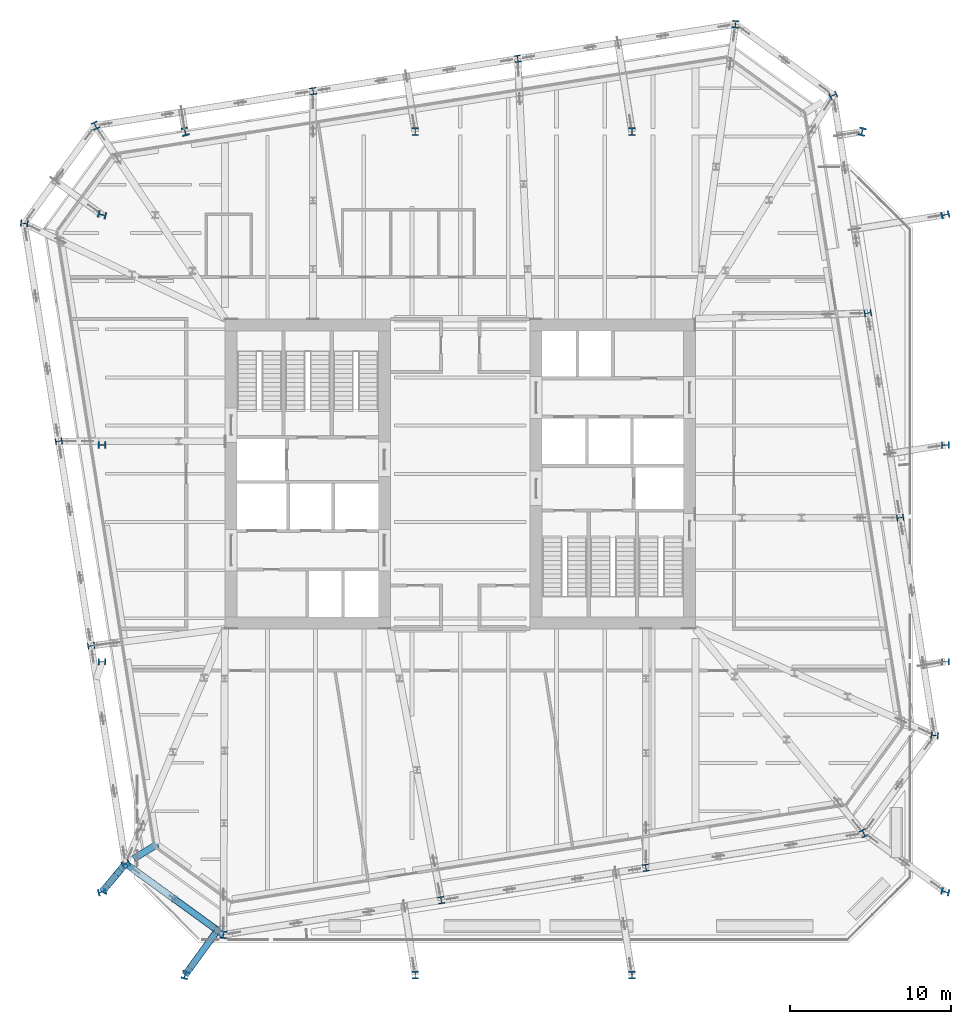
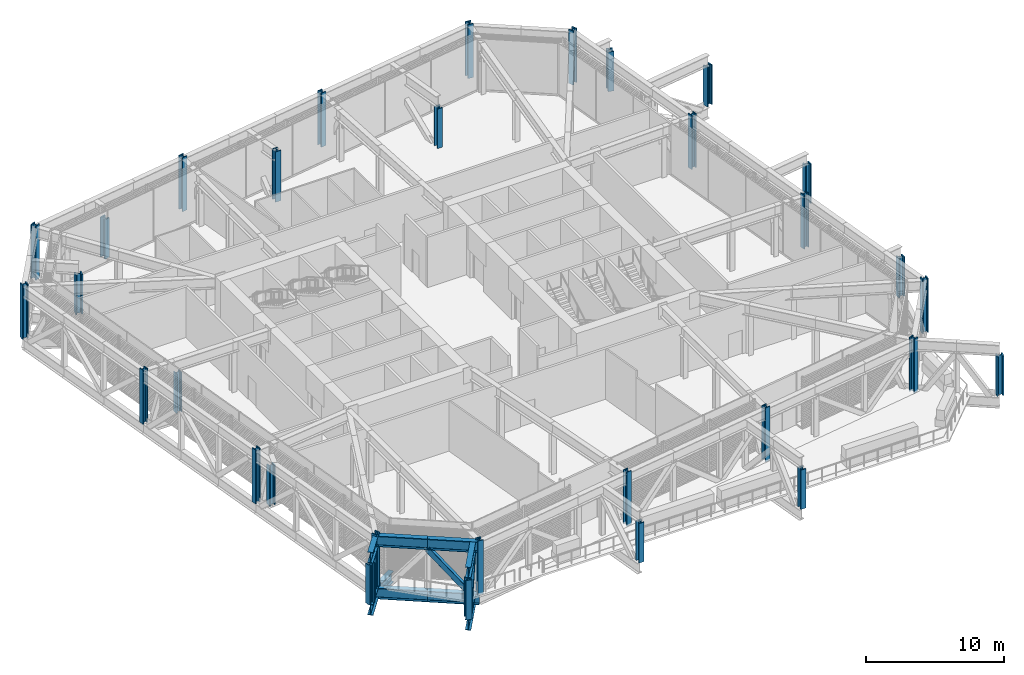
# One storey, part 1 of 32: 31 columns, 9 beams, 3 members.
"""IFC4 building model written with IfcOpenShell, lengths in metres."""

from ifc_helpers import new_model, si_unit, direction, frame, origin, origin_2d, place, context, subcontext, project, spatial, hollow_rectangle, i_section, extrude, material, material_profile, profile_set, type_object, element, save


model = new_model("IFC4")

# Units and contexts
model_context = context("Model", 3, precision=1e-05, world=origin(), true_north=direction((0.0, 1.0)))
body_context = subcontext(model_context, "Body", "Model", "MODEL_VIEW")
ifc_project = project(units=[si_unit("LENGTHUNIT", "METRE"), si_unit("AREAUNIT", "SQUARE_METRE"), si_unit("VOLUMEUNIT", "CUBIC_METRE"), si_unit("PLANEANGLEUNIT", "RADIAN"), si_unit("MASSUNIT", "GRAM", prefix="KILO")], contexts=[model_context])

# Site, building, storey
site_placement = place(None, origin())
site = spatial("IfcSite", under=ifc_project, at=site_placement, CompositionType="ELEMENT")
building_placement = place(site_placement, origin())
building = spatial("IfcBuilding", under=site, at=building_placement, Name="Millrace Tower", CompositionType="ELEMENT")
storey_placement = place(building_placement, frame((0.0, 0.0, 124.89990234375)))
storey = spatial("IfcBuildingStorey", under=building, at=storey_placement, Name="L27", CompositionType="ELEMENT", Elevation=124.89990234375)

# Columns
ifc_material_1 = material(Name="Steel ASTM A913 Grade 65", Category="steel")
ifc_material_profile_1 = material_profile(ifc_material_1, i_section(OverallWidth=0.419189453125, OverallDepth=0.45458984375, WebThickness=0.042236328125, FlangeThickness=0.067626953125, FilletRadius=0.01513671875, at=origin_2d()))
ifc_profile_set_1 = profile_set([ifc_material_profile_1], Name="Steel ASTM A913 Grade 65")
column_type_1 = type_object("IfcColumnType", Name="Exoskeleton column W14x370", PredefinedType="COLUMN", material=ifc_profile_set_1)
for number, where, z_axis, x_axis, name in (
    (1, (-1.181396484375, -26.545166015625, -0.159912109375), (0.0, 0.0, 1.0), (0.987688339156, 0.156434474125, 0.0), "COL-C-L27-X03"),
    (2, (11.5595703125, -24.527099609375, -0.159912109375), (0.0, 0.0, 1.0), (0.987688338239, 0.156434479917, 0.0), "COL-C-L27-X04"),
    (3, (27.39501953125, -2.7314453125, -0.159912109375), (0.0, 0.0, 1.0), (-0.156434474125, 0.987688339156, 0.0), "COL-C-L27-X07"),
    (4, (25.376953125, 10.009765625, -0.159912109375), (0.0, 0.0, 1.0), (-0.156434479917, 0.987688338239, 0.0), "COL-C-L27-X08"),
    (5, (3.58154296875, 25.844970703125, -0.159912109375), (0.0, 0.0, 1.0), (-0.987688339156, -0.156434474125, 0.0), "COL-C-L27-X11"),
    (6, (-9.15966796875, 23.8271484375, -0.159912109375), (0.0, 0.0, 1.0), (-0.987688338239, -0.156434479917, 0.0), "COL-C-L27-X12"),
    (7, (-24.9951171875, 2.031494140625, -0.159912109375), (0.0, 0.0, 1.0), (0.156434474125, -0.987688339156, 0.0), "COL-C-L27-X15"),
    (8, (-22.97705078125, -10.709716796875, -0.159912109375), (0.0, 0.0, 1.0), (0.156434479917, -0.987688338239, 0.0), "COL-C-L27-X16"),
):
    element("IfcColumn", number, at=place(storey_placement, frame(where, z_axis=z_axis, x_axis=x_axis)), inside=storey, type_object=column_type_1, Name=name, PredefinedType="COLUMN", context=body_context, shape_type="SweptSolid", body=[
        extrude(i_section(OverallWidth=0.419189453125, OverallDepth=0.45458984375, WebThickness=0.042236328125, FlangeThickness=0.067626953125, FilletRadius=0.01513671875, at=origin_2d()), origin(), (0.0, 0.0, 1.0), 4.760009765625),
    ])
ifc_material_2 = material(Name="Steel ASTM A913 Grade 65", Category="steel")
ifc_material_profile_2 = material_profile(ifc_material_2, i_section(OverallWidth=0.4267578125, OverallDepth=0.482666015625, WebThickness=0.05126953125, FlangeThickness=0.08154296875, FilletRadius=0.01513671875, at=origin_2d()))
ifc_profile_set_2 = profile_set([ifc_material_profile_2], Name="Steel ASTM A913 Grade 65")
column_type_2 = type_object("IfcColumnType", Name="Exoskeleton column W14x455", PredefinedType="COLUMN", material=ifc_profile_set_2)
for number, where, z_axis, x_axis, name in (
    (9, (-20.829345703125, -24.26904296875, -0.159912109375), (0.0, 0.0, 1.0), (0.416401106568, -0.909181015227, 0.0), "COL-C-L27-X01"),
    (10, (-14.740966796875, -28.692626953125, -0.159912109375), (0.0, 0.0, 1.0), (0.993357548409, -0.115068592665, 0.0), "COL-C-L27-X02"),
    (11, (25.119140625, -22.37939453125, -0.159912109375), (0.0, 0.0, 1.0), (0.909181015227, 0.416401106568, 0.0), "COL-C-L27-X05"),
    (12, (29.542724609375, -16.291015625, -0.159912109375), (0.0, 0.0, 1.0), (0.115068592665, 0.993357548409, 0.0), "COL-C-L27-X06"),
    (13, (23.2294921875, 23.569091796875, -0.159912109375), (0.0, 0.0, 1.0), (-0.416401106568, 0.909181015227, 0.0), "COL-C-L27-X09"),
    (14, (17.140869140625, 27.99267578125, -0.159912109375), (0.0, 0.0, 1.0), (-0.993357548409, 0.115068592665, 0.0), "COL-C-L27-X10"),
    (15, (-22.718994140625, 21.679443359375, -0.159912109375), (0.0, 0.0, 1.0), (-0.909181015227, -0.416401106568, 0.0), "COL-C-L27-X13"),
    (16, (-27.142578125, 15.5908203125, -0.159912109375), (0.0, 0.0, 1.0), (-0.115068592665, -0.993357548409, 0.0), "COL-C-L27-X14"),
):
    element("IfcColumn", number, at=place(storey_placement, frame(where, z_axis=z_axis, x_axis=x_axis)), inside=storey, type_object=column_type_2, Name=name, PredefinedType="COLUMN", context=body_context, shape_type="SweptSolid", body=[
        extrude(i_section(OverallWidth=0.4267578125, OverallDepth=0.482666015625, WebThickness=0.05126953125, FlangeThickness=0.08154296875, FilletRadius=0.01513671875, at=origin_2d()), origin(), (0.0, 0.0, 1.0), 4.760009765625),
    ])
ifc_material_3 = material(Name="Steel ASTM A913 Grade 65", Category="steel")
ifc_material_profile_3 = material_profile(ifc_material_3, i_section(OverallWidth=0.431884765625, OverallDepth=0.497802734375, WebThickness=0.0556640625, FlangeThickness=0.0888671875, FilletRadius=0.01513671875, at=origin_2d()))
ifc_profile_set_3 = profile_set([ifc_material_profile_3], Name="Steel ASTM A913 Grade 65")
column_type_3 = type_object("IfcColumnType", Name="Exoskeleton column W14x500", PredefinedType="COLUMN", material=ifc_profile_set_3)
for number, where, z_axis, x_axis, name in (
    (17, (-2.800048828125, -31.199951171875, 0.0), (0.0, 0.0, 1.0), (1.0, 0.0, 0.0), "COL-B-L27-X03"),
    (18, (10.699951171875, -31.199951171875, 0.0), (0.0, 0.0, 1.0), (1.0, 0.0, 0.0), "COL-B-L27-X04"),
    (19, (30.199951171875, -11.699951171875, 0.0), (0.0, 0.0, 1.0), (0.0, 1.0, 0.0), "COL-B-L27-X07"),
    (20, (30.199951171875, 1.800048828125, 0.0), (0.0, 0.0, 1.0), (0.0, 1.0, 0.0), "COL-B-L27-X08"),
    (21, (10.699951171875, 21.300048828125, 0.0), (0.0, 0.0, 1.0), (-1.0, 0.0, 0.0), "COL-B-L27-X11"),
):
    element("IfcColumn", number, at=place(storey_placement, frame(where, z_axis=z_axis, x_axis=x_axis)), inside=storey, type_object=column_type_3, Name=name, PredefinedType="COLUMN", context=body_context, shape_type="SweptSolid", body=[
        extrude(i_section(OverallWidth=0.431884765625, OverallDepth=0.497802734375, WebThickness=0.0556640625, FlangeThickness=0.0888671875, FilletRadius=0.01513671875, at=origin_2d()), origin(), (0.0, 0.0, 1.0), 3.482421875),
    ])
column_placement = place(storey_placement, frame((-2.800048828125, 21.300048828125, 0.0), z_axis=(0.0, 0.0, 1.0), x_axis=(-1.0, 0.0, 0.0)))
element("IfcColumn", 22, at=column_placement, inside=storey, type_object=column_type_3, Name="COL-B-L27-X12", PredefinedType="COLUMN", context=body_context, shape_type="SweptSolid", body=[
    extrude(i_section(OverallWidth=0.431884765625, OverallDepth=0.497802734375, WebThickness=0.0556640625, FlangeThickness=0.0888671875, FilletRadius=0.01513671875, at=origin_2d()), origin(), (0.0, 0.0, 1.0), 4.440185546875),
])
for number, where, z_axis, x_axis, name in (
    (23, (-22.300048828125, 1.800048828125, 0.0), (0.0, 0.0, 1.0), (0.0, -1.0, 0.0), "COL-B-L27-X15"),
    (24, (-22.300048828125, -11.699951171875, 0.0), (0.0, 0.0, 1.0), (0.0, -1.0, 0.0), "COL-B-L27-X16"),
):
    element("IfcColumn", number, at=place(storey_placement, frame(where, z_axis=z_axis, x_axis=x_axis)), inside=storey, type_object=column_type_3, Name=name, PredefinedType="COLUMN", context=body_context, shape_type="SweptSolid", body=[
        extrude(i_section(OverallWidth=0.431884765625, OverallDepth=0.497802734375, WebThickness=0.0556640625, FlangeThickness=0.0888671875, FilletRadius=0.01513671875, at=origin_2d()), origin(), (0.0, 0.0, 1.0), 3.482421875),
    ])
ifc_material_4 = material(Name="Steel ASTM A913 Grade 65", Category="steel")
ifc_material_profile_4 = material_profile(ifc_material_4, i_section(OverallWidth=0.44189453125, OverallDepth=0.53076171875, WebThickness=0.06591796875, FlangeThickness=0.105712890625, FilletRadius=0.01513671875, at=origin_2d()))
ifc_profile_set_4 = profile_set([ifc_material_profile_4], Name="Steel ASTM A913 Grade 65")
column_type_4 = type_object("IfcColumnType", Name="Exoskeleton column W14x605", PredefinedType="COLUMN", material=ifc_profile_set_4)
for number, where, z_axis, x_axis, name in (
    (25, (-22.300048828125, -26.0283203125, 0.0), (0.0, 0.0, 1.0), (0.256346878353, -0.966584852953, 0.0), "COL-B-L27-X01"),
    (26, (-17.12841796875, -31.199951171875, 0.0), (0.0, 0.0, 1.0), (0.966584852953, -0.256346878353, 0.0), "COL-B-L27-X02"),
    (27, (30.199951171875, -26.0283203125, 0.0), (0.0, 0.0, 1.0), (0.256346878353, 0.966584852953, 0.0), "COL-B-L27-X06"),
    (28, (30.199951171875, 16.12841796875, 0.0), (0.0, 0.0, 1.0), (-0.256346878353, 0.966584852953, 0.0), "COL-B-L27-X09"),
    (29, (25.0283203125, 21.300048828125, 0.0), (0.0, 0.0, 1.0), (-0.966584852953, 0.256346878353, 0.0), "COL-B-L27-X10"),
    (30, (-17.12841796875, 21.300048828125, 0.0), (0.0, 0.0, 1.0), (-0.966584852953, -0.256346878353, 0.0), "COL-B-L27-X13"),
    (31, (-22.300048828125, 16.12841796875, 0.0), (0.0, 0.0, 1.0), (-0.256346878353, -0.966584852953, 0.0), "COL-B-L27-X14"),
):
    element("IfcColumn", number, at=place(storey_placement, frame(where, z_axis=z_axis, x_axis=x_axis)), inside=storey, type_object=column_type_4, Name=name, PredefinedType="COLUMN", context=body_context, shape_type="SweptSolid", body=[
        extrude(i_section(OverallWidth=0.44189453125, OverallDepth=0.53076171875, WebThickness=0.06591796875, FlangeThickness=0.105712890625, FilletRadius=0.01513671875, at=origin_2d()), origin(), (0.0, 0.0, 1.0), 3.482421875),
    ])

# Beams
ifc_material_5 = material(Name="Steel ASTM A992 Grade 50", Category="steel")
ifc_material_profile_5 = material_profile(ifc_material_5, i_section(OverallWidth=0.421630859375, OverallDepth=0.95751953125, WebThickness=0.02587890625, FlangeThickness=0.046875, FilletRadius=0.024169921875, at=origin_2d()))
ifc_profile_set_5 = profile_set([ifc_material_profile_5], Name="Steel ASTM A992 Grade 50")
beam_type_1 = type_object("IfcBeamType", Name="Link beam W36x330", PredefinedType="BEAM", material=ifc_profile_set_5)
beam_placement = place(storey_placement, frame((-18.841796875, -23.051025390625, -0.638671875), z_axis=(-0.852639369195, -0.522499862295, 0.0), x_axis=(0.522499862295, -0.852639369195, 0.0)))
element("IfcBeam", 32, at=beam_placement, inside=storey, type_object=beam_type_1, Name="LNK-C-L27-S1-01", PredefinedType="BEAM", context=body_context, shape_type="SweptSolid", body=[
    extrude(i_section(OverallWidth=0.421630859375, OverallDepth=0.95751953125, WebThickness=0.02587890625, FlangeThickness=0.046875, FilletRadius=0.024169921875, at=origin_2d()), origin(), (0.0, 0.0, 1.0), 1.7490234375),
])
ifc_material_6 = material(Name="Steel ASTM A992 Grade 50", Category="steel")
ifc_material_profile_6 = material_profile(ifc_material_6, i_section(OverallWidth=0.421630859375, OverallDepth=0.95751953125, WebThickness=0.02587890625, FlangeThickness=0.046875, FilletRadius=0.024169921875, at=origin_2d()))
ifc_profile_set_6 = profile_set([ifc_material_profile_6], Name="Steel ASTM A992 Grade 50")
beam_type_2 = type_object("IfcBeamType", Name="Transfer truss chord W36x330", PredefinedType="BEAM", material=ifc_profile_set_6)
for number, where, z_axis, x_axis, name in (
    (33, (-20.829345703125, -24.26904296875, -0.638671875), (0.80899412534, -0.587816727531, 0.0), (0.587816727531, 0.80899412534, 0.0), "TRS-L27-R01-B01"),
    (34, (-20.829345703125, -24.26904296875, 3.96142578125), (0.80899412534, -0.587816727531, 0.0), (0.587816727531, 0.80899412534, 0.0), "TRS-L27-R01-T01"),
):
    element("IfcBeam", number, at=place(storey_placement, frame(where, z_axis=z_axis, x_axis=x_axis)), inside=storey, type_object=beam_type_2, Name=name, PredefinedType="BEAM", context=body_context, shape_type="SweptSolid", body=[
        extrude(i_section(OverallWidth=0.421630859375, OverallDepth=0.95751953125, WebThickness=0.02587890625, FlangeThickness=0.046875, FilletRadius=0.024169921875, at=origin_2d()), origin(), (0.0, 0.0, 1.0), 3.762939453125),
    ])
for number, where, z_axis, x_axis, name in (
    (35, (-17.78515625, -26.48095703125, -0.638671875), (0.809024978662, -0.587774262707, 0.0), (0.587774262707, 0.809024978662, 0.0), "TRS-L27-R01-B02"),
    (36, (-17.78515625, -26.48095703125, 3.96142578125), (0.809024978662, -0.587774262707, 0.0), (0.587774262707, 0.809024978662, 0.0), "TRS-L27-R01-T02"),
):
    element("IfcBeam", number, at=place(storey_placement, frame(where, z_axis=z_axis, x_axis=x_axis)), inside=storey, type_object=beam_type_2, Name=name, PredefinedType="BEAM", context=body_context, shape_type="SweptSolid", body=[
        extrude(i_section(OverallWidth=0.421630859375, OverallDepth=0.95751953125, WebThickness=0.02587890625, FlangeThickness=0.046875, FilletRadius=0.024169921875, at=origin_2d()), origin(), (0.0, 0.0, 1.0), 3.7626953125),
    ])
for number, where, z_axis, x_axis, name in (
    (37, (-22.300048828125, -26.0283203125, -0.638671875), (0.641377491049, 0.76722546489, 0.0), (-0.76722546489, 0.641377491049, 0.0), "TRS-L27-B-B-X01-B01"),
    (38, (-22.300048828125, -26.0283203125, 3.96142578125), (0.641377491049, 0.76722546489, 0.0), (-0.76722546489, 0.641377491049, 0.0), "TRS-L27-B-B-X01-T01"),
):
    element("IfcBeam", number, at=place(storey_placement, frame(where, z_axis=z_axis, x_axis=x_axis)), inside=storey, type_object=beam_type_2, Name=name, PredefinedType="BEAM", context=body_context, shape_type="SweptSolid", body=[
        extrude(i_section(OverallWidth=0.421630859375, OverallDepth=0.95751953125, WebThickness=0.02587890625, FlangeThickness=0.046875, FilletRadius=0.024169921875, at=origin_2d()), origin(), (0.0, 0.0, 1.0), 2.29296875),
    ])
for number, where, z_axis, x_axis, name in (
    (39, (-17.12841796875, -31.199951171875, -0.638671875), (0.58781559366, 0.808994949212, 0.0), (-0.808994949212, 0.58781559366, 0.0), "TRS-L27-B-B-X02-B01"),
    (40, (-17.12841796875, -31.199951171875, 3.96142578125), (0.58781559366, 0.808994949212, 0.0), (-0.808994949212, 0.58781559366, 0.0), "TRS-L27-B-B-X02-T01"),
):
    element("IfcBeam", number, at=place(storey_placement, frame(where, z_axis=z_axis, x_axis=x_axis)), inside=storey, type_object=beam_type_2, Name=name, PredefinedType="BEAM", context=body_context, shape_type="SweptSolid", body=[
        extrude(i_section(OverallWidth=0.421630859375, OverallDepth=0.95751953125, WebThickness=0.02587890625, FlangeThickness=0.046875, FilletRadius=0.024169921875, at=origin_2d()), origin(), (0.0, 0.0, 1.0), 3.220947265625),
    ])

# Members
ifc_material_7 = material(Name="Steel ASTM A500 Grade C", Category="steel")
ifc_material_profile_7 = material_profile(ifc_material_7, hollow_rectangle(XDim=0.406494140625, YDim=0.406494140625, WallThickness=0.0126953125, InnerFilletRadius=0.00634765625, OuterFilletRadius=0.01904296875, at=origin_2d()))
ifc_profile_set_7 = profile_set([ifc_material_profile_7], Name="Steel ASTM A500 Grade C")
member_type = type_object("IfcMemberType", Name="Transfer truss diagonal HSS16x16x1/2", PredefinedType="BRACE", material=ifc_profile_set_7)
member_1_placement = place(storey_placement, frame((-15.30712890625, -28.28125, -0.159912109375), z_axis=(-0.520701185458, 0.378290693751, 0.765353791709), x_axis=(-0.587764036954, -0.809032407796, 0.0)))
element("IfcMember", 41, at=member_1_placement, inside=storey, type_object=member_type, Name="TRS-L27-R01-D02", PredefinedType="BRACE", context=body_context, shape_type="SweptSolid", body=[
    extrude(hollow_rectangle(XDim=0.406494140625, YDim=0.406494140625, WallThickness=0.0126953125, InnerFilletRadius=0.00634765625, OuterFilletRadius=0.01904296875, at=origin_2d()), origin(), (0.0, 0.0, 1.0), 4.759033203125),
])
member_2_placement = place(storey_placement, frame((-21.85107421875, -25.491455078125, -0.159912109375), z_axis=(0.152724689284, 0.182735806829, 0.971227467788), x_axis=(-0.767301843365, 0.641286114904, 0.0)))
element("IfcMember", 42, at=member_2_placement, inside=storey, type_object=member_type, Name="TRS-L27-B-B-X01-D01", PredefinedType="BRACE", context=body_context, shape_type="SweptSolid", body=[
    extrude(hollow_rectangle(XDim=0.406494140625, YDim=0.406494140625, WallThickness=0.0126953125, InnerFilletRadius=0.00634765625, OuterFilletRadius=0.01904296875, at=origin_2d()), origin(), (0.0, 0.0, 1.0), 3.750244140625),
])
member_3_placement = place(storey_placement, frame((-16.717041015625, -30.6337890625, -0.159912109375), z_axis=(0.352670480784, 0.48543802076, 0.799983412318), x_axis=(-0.80903354659, 0.587762469449, 0.0)))
element("IfcMember", 43, at=member_3_placement, inside=storey, type_object=member_type, Name="TRS-L27-B-B-X02-D01", PredefinedType="BRACE", context=body_context, shape_type="SweptSolid", body=[
    extrude(hollow_rectangle(XDim=0.406494140625, YDim=0.406494140625, WallThickness=0.0126953125, InnerFilletRadius=0.00634765625, OuterFilletRadius=0.01904296875, at=origin_2d()), origin(), (0.0, 0.0, 1.0), 4.552978515625),
])

save(model, "model.ifc")
